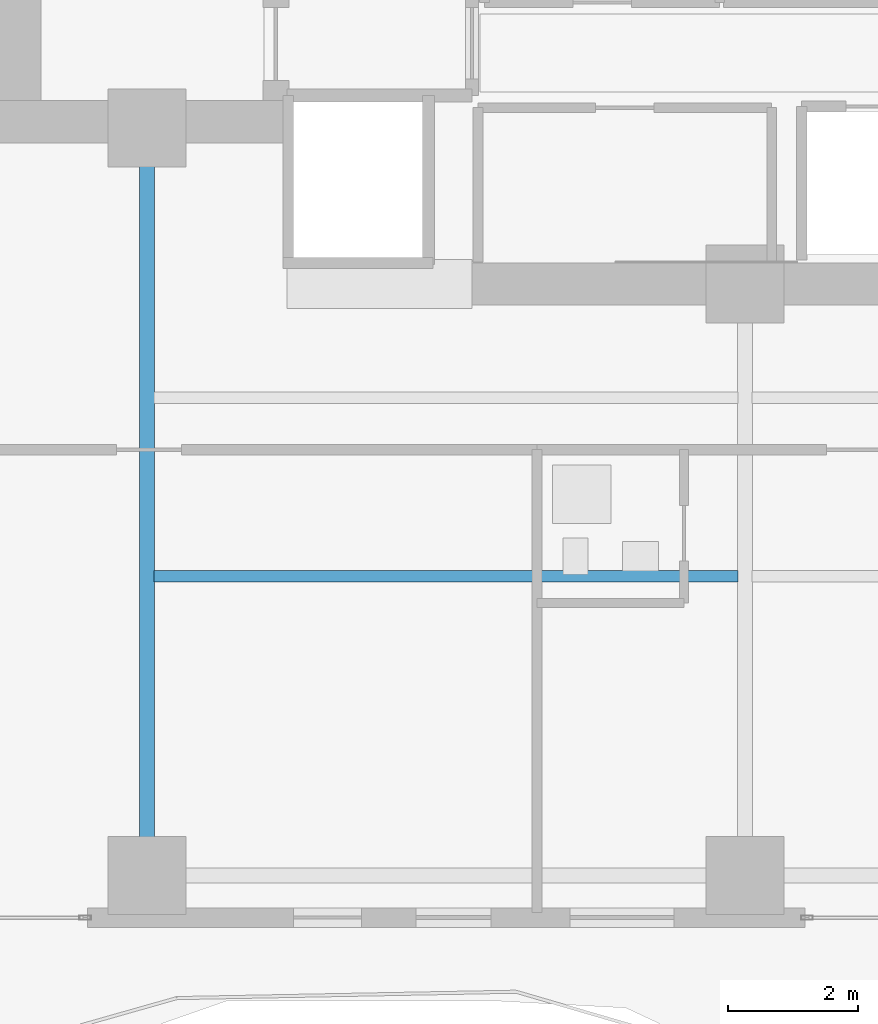
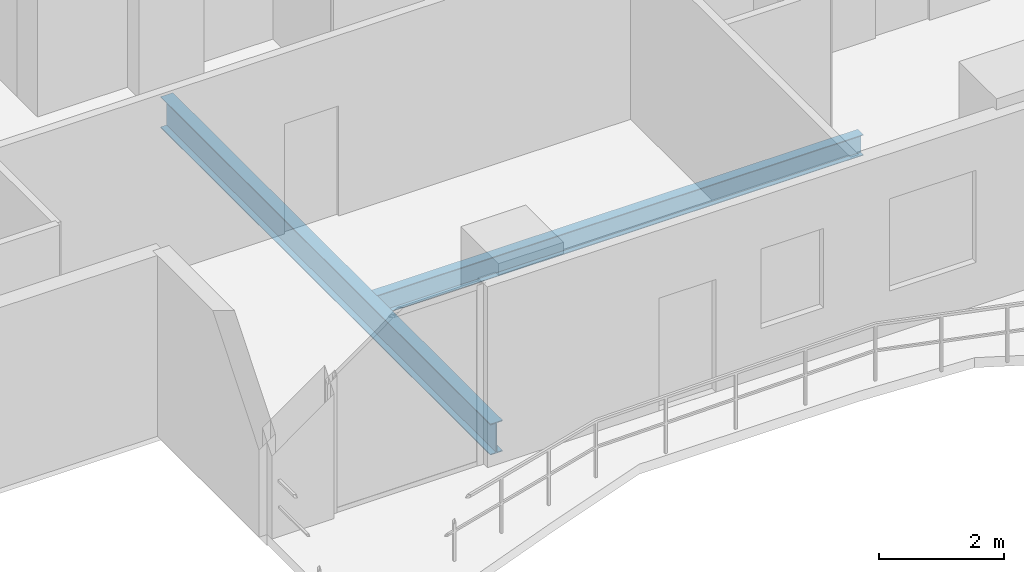
# One storey, part 3 of 32: 2 beams.
"""IFC4 building model written with IfcOpenShell, lengths in metres."""

from ifc_helpers import new_model, si_unit, direction, frame, origin, origin_2d, place, context, subcontext, project, spatial, i_section, extrude, material, material_profile, profile_set, type_object, element, save


model = new_model("IFC4")

# Units and contexts
model_context = context("Model", 3, precision=1e-05, world=origin(), true_north=direction((0.0, 1.0)))
body_context = subcontext(model_context, "Body", "Model", "MODEL_VIEW")
ifc_project = project(units=[si_unit("LENGTHUNIT", "METRE"), si_unit("AREAUNIT", "SQUARE_METRE"), si_unit("VOLUMEUNIT", "CUBIC_METRE"), si_unit("PLANEANGLEUNIT", "RADIAN"), si_unit("MASSUNIT", "GRAM", prefix="KILO")], contexts=[model_context])

# Site, building, storey
site_placement = place(None, origin())
site = spatial("IfcSite", under=ifc_project, at=site_placement, CompositionType="ELEMENT")
building_placement = place(site_placement, origin())
building = spatial("IfcBuilding", under=site, at=building_placement, Name="Zuhayl Quay Hotel", CompositionType="ELEMENT")
storey_placement = place(building_placement, frame((0.0, 0.0, 203.64990234375)))
storey = spatial("IfcBuildingStorey", under=building, at=storey_placement, Name="L51", CompositionType="ELEMENT", Elevation=203.64990234375)

# Beams
ifc_material = material(Name="Steel ASTM A992 Grade 50", Category="steel")
ifc_material_profile_1 = material_profile(ifc_material, i_section(OverallWidth=0.22802734375, OverallDepth=0.60693359375, WebThickness=0.01123046875, FlangeThickness=0.017333984375, at=origin_2d()), Name="W24X76")
ifc_profile_set_1 = profile_set([ifc_material_profile_1], Name="Steel ASTM A992 Grade 50")
beam_type_1 = type_object("IfcBeamType", Name="BM_B3_W24X76", PredefinedType="BEAM", material=ifc_profile_set_1)
beam_1_placement = place(storey_placement, frame((-13.800048828125, -6.449951171875, -0.5234375), z_axis=(0.0, 1.0, 0.0), x_axis=(-1.0, 0.0, 0.0)))
element("IfcBeam", 1, at=beam_1_placement, inside=storey, type_object=beam_type_1, Name="L51 Floor Beam FG_S_L51_1", PredefinedType="BEAM", context=body_context, shape_type="SweptSolid", body=[
    extrude(i_section(OverallWidth=0.22802734375, OverallDepth=0.60693359375, WebThickness=0.01123046875, FlangeThickness=0.017333984375, at=origin_2d()), origin(), (0.0, 0.0, 1.0), 10.550048828125),
])
ifc_material_profile_2 = material_profile(ifc_material, i_section(OverallWidth=0.177978515625, OverallDepth=0.406005859375, WebThickness=0.0078125, FlangeThickness=0.0126953125, at=origin_2d()), Name="W16X40")
ifc_profile_set_2 = profile_set([ifc_material_profile_2], Name="Steel ASTM A992 Grade 50")
beam_type_2 = type_object("IfcBeamType", Name="BM_J2B_W16X40", PredefinedType="JOIST", material=ifc_profile_set_2)
beam_2_placement = place(storey_placement, frame((-13.694091796875, -2.35009765625, -0.4228515625), z_axis=(1.0, 0.0, 0.0), x_axis=(0.0, 1.0, 0.0)))
element("IfcBeam", 2, at=beam_2_placement, inside=storey, type_object=beam_type_2, Name="L51 Floor Beam FJ_L51_7_1", PredefinedType="JOIST", context=body_context, shape_type="SweptSolid", body=[
    extrude(i_section(OverallWidth=0.177978515625, OverallDepth=0.406005859375, WebThickness=0.0078125, FlangeThickness=0.0126953125, at=origin_2d()), origin(), (0.0, 0.0, 1.0), 8.988037109375),
])

save(model, "model.ifc")
